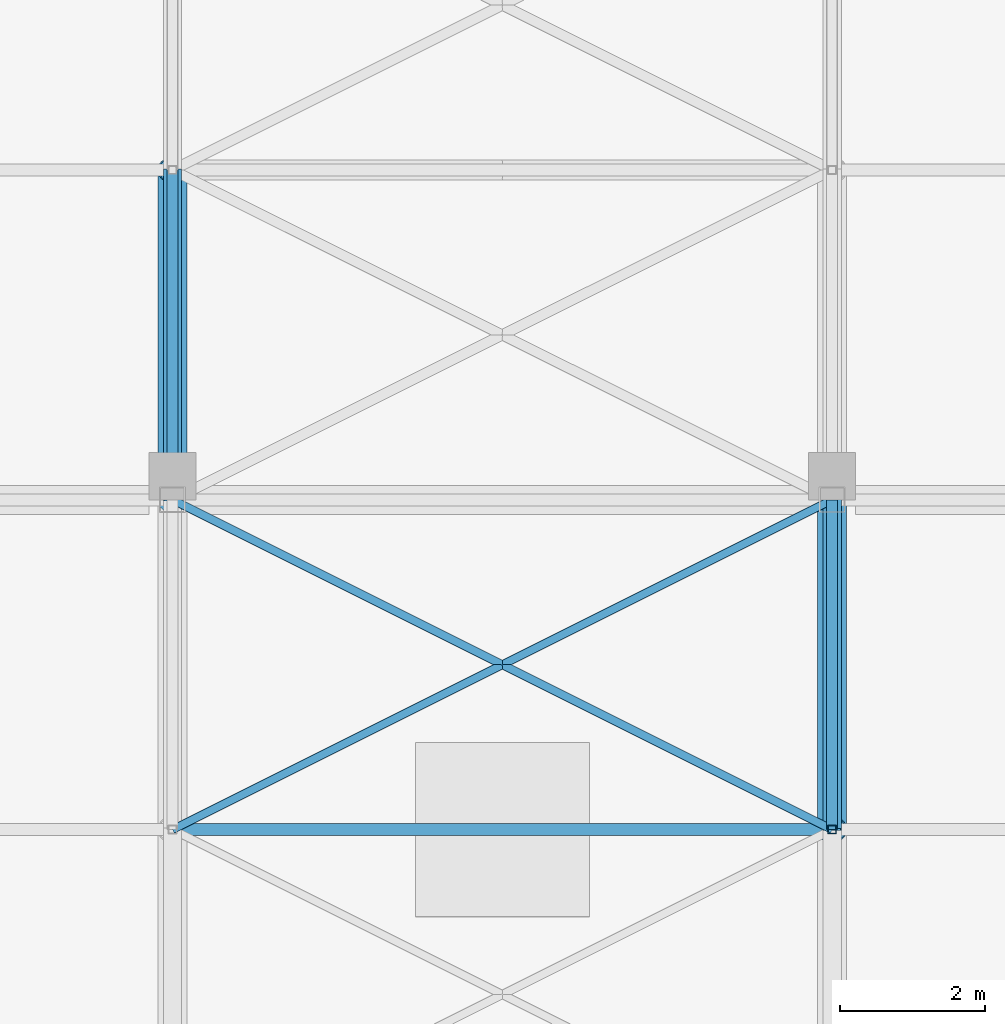
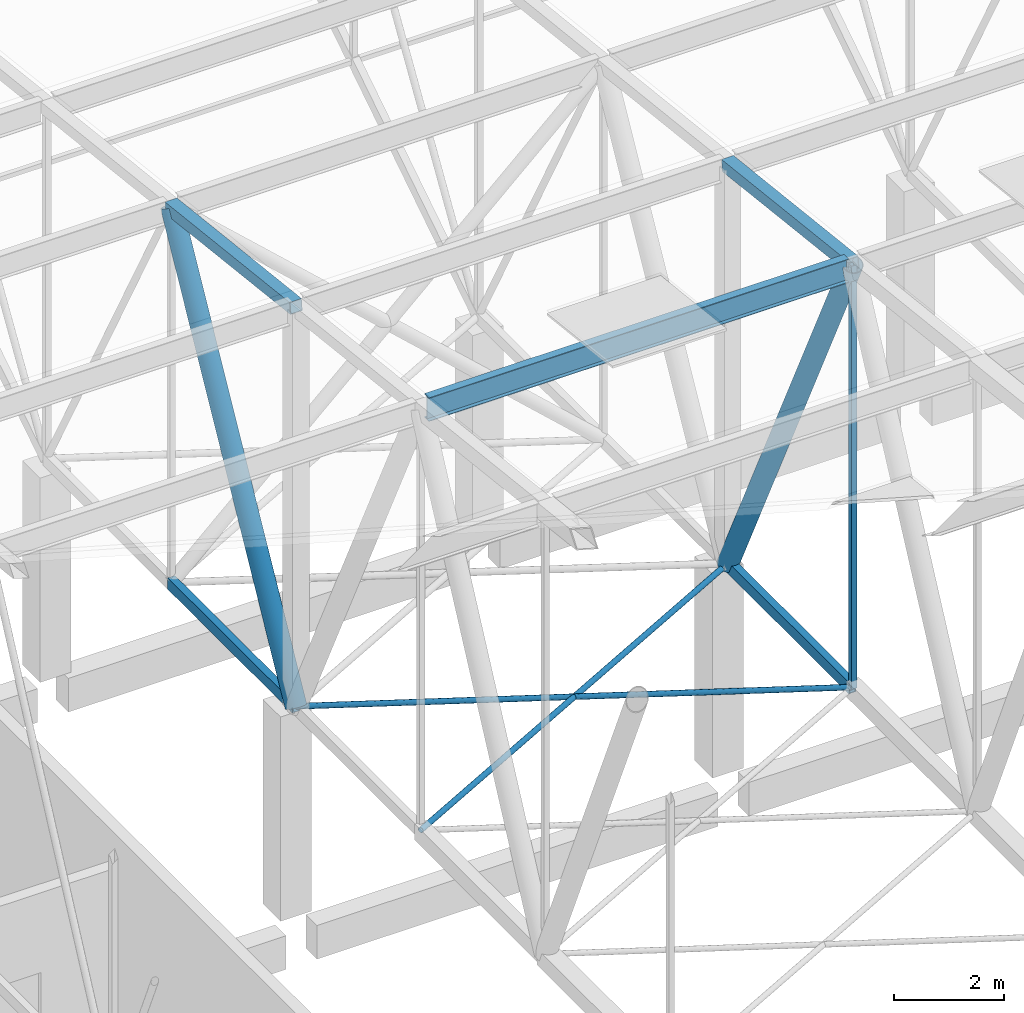
# One storey, part 243 of 500: 10 members.
"""IFC4 building model written with IfcOpenShell, lengths in metres."""

from ifc_helpers import new_model, si_unit, direction, frame, origin, origin_2d, place, context, subcontext, project, spatial, hollow_rectangle, hollow_circle, i_section, extrude, material, material_profile, profile_set, type_object, element, save


model = new_model("IFC4")

# Units and contexts
model_context = context("Model", 3, precision=1e-05, world=origin(), true_north=direction((0.0, 1.0)))
body_context = subcontext(model_context, "Body", "Model", "MODEL_VIEW")
ifc_project = project(units=[si_unit("LENGTHUNIT", "METRE"), si_unit("AREAUNIT", "SQUARE_METRE"), si_unit("VOLUMEUNIT", "CUBIC_METRE"), si_unit("PLANEANGLEUNIT", "RADIAN"), si_unit("MASSUNIT", "GRAM", prefix="KILO")], contexts=[model_context])

# Site, building, storey
site_placement = place(None, origin())
site = spatial("IfcSite", under=ifc_project, at=site_placement, CompositionType="ELEMENT")
building_placement = place(site_placement, origin())
building = spatial("IfcBuilding", under=site, at=building_placement, Name="Shirokan Park Arena", CompositionType="ELEMENT")
storey_placement = place(building_placement, frame((0.0, 0.0, 29.1201171875)))
storey = spatial("IfcBuildingStorey", under=building, at=storey_placement, Name="L06", CompositionType="ELEMENT", Elevation=29.1201171875)

# Members
ifc_material_1 = material(Name="Steel ASTM A500 Grade C", Category="steel")
ifc_material_profile_1 = material_profile(ifc_material_1, hollow_rectangle(XDim=0.152099609375, YDim=0.25390625, WallThickness=0.015869140625, at=origin_2d()), Name="HSS254X152.4X15.9")
ifc_profile_set_1 = profile_set([ifc_material_profile_1], Name="Steel ASTM A500 Grade C")
member_type_1 = type_object("IfcMemberType", Name="Bottom chord HSS254X152.4X15.9", PredefinedType="CHORD", material=ifc_profile_set_1)
member_1_placement = place(storey_placement, frame((54.60009765625, 95.550048828125, 4.677001953125), z_axis=(0.0, 1.0, 0.0), x_axis=(-1.0, 0.0, 0.0)))
element("IfcMember", 1, at=member_1_placement, inside=storey, type_object=member_type_1, Name="Truss T07 bottom chord 24", PredefinedType="CHORD", context=body_context, shape_type="SweptSolid", body=[
    extrude(hollow_rectangle(XDim=0.152099609375, YDim=0.25390625, WallThickness=0.015869140625, at=origin_2d()), origin(), (0.0, 0.0, 1.0), 4.550048828125),
])
ifc_material_profile_2 = material_profile(ifc_material_1, hollow_rectangle(XDim=0.152099609375, YDim=0.25390625, WallThickness=0.009521484375, at=origin_2d()), Name="HSS254X152.4X9.5")
ifc_profile_set_2 = profile_set([ifc_material_profile_2], Name="Steel ASTM A500 Grade C")
member_type_2 = type_object("IfcMemberType", Name="Bottom chord HSS254X152.4X9.5", PredefinedType="CHORD", material=ifc_profile_set_2)
member_2_placement = place(storey_placement, frame((45.5, 100.10009765625, 4.677001953125), z_axis=(0.0, 1.0, 0.0), x_axis=(-1.0, 0.0, 0.0)))
element("IfcMember", 2, at=member_2_placement, inside=storey, type_object=member_type_2, Name="Truss T06 bottom chord 25", PredefinedType="CHORD", context=body_context, shape_type="SweptSolid", body=[
    extrude(hollow_rectangle(XDim=0.152099609375, YDim=0.25390625, WallThickness=0.009521484375, at=origin_2d()), origin(), (0.0, 0.0, 1.0), 4.5498046875),
])
ifc_material_profile_3 = material_profile(ifc_material_1, hollow_circle(Radius=0.056884765625, WallThickness=0.006103515625, at=origin_2d()), Name="HSS114.3X6")
ifc_profile_set_3 = profile_set([ifc_material_profile_3], Name="Steel ASTM A500 Grade C")
member_type_3 = type_object("IfcMemberType", Name="Plan bracing HSS114.3X6", PredefinedType="BRACE", material=ifc_profile_set_3)
for number, where, z_axis, x_axis, name in (
    (3, (45.5, 95.550048828125, 4.677001953125), (0.894427191, 0.4472135955, 0.0), (-0.4472135955, 0.894427191, 0.0), "Plan bracing bay 6 panel 24 A"),
    (4, (54.60009765625, 95.550048828125, 4.677001953125), (-0.894427191, 0.4472135955, 0.0), (-0.4472135955, -0.894427191, 0.0), "Plan bracing bay 6 panel 24 B"),
):
    element("IfcMember", number, at=place(storey_placement, frame(where, z_axis=z_axis, x_axis=x_axis)), inside=storey, type_object=member_type_3, Name=name, PredefinedType="BRACE", context=body_context, shape_type="SweptSolid", body=[
        extrude(hollow_circle(Radius=0.056884765625, WallThickness=0.006103515625, at=origin_2d()), origin(), (0.0, 0.0, 1.0), 10.17431640625),
    ])
ifc_material_2 = material(Name="Steel ASTM A992", Category="steel")
ifc_material_profile_4 = material_profile(ifc_material_2, i_section(OverallWidth=0.166015625, OverallDepth=0.528076171875, WebThickness=0.009765625, FlangeThickness=0.013671875, at=origin_2d()), Name="W530X74")
ifc_profile_set_4 = profile_set([ifc_material_profile_4], Name="Steel ASTM A992")
member_type_4 = type_object("IfcMemberType", Name="Purlin W530X74", PredefinedType="PURLIN", material=ifc_profile_set_4)
member_3_placement = place(storey_placement, frame((45.626953125, 95.550048828125, 14.0458984375), z_axis=(1.0, 0.0, 0.0), x_axis=(0.0, 1.0, 0.0)))
element("IfcMember", 5, at=member_3_placement, inside=storey, type_object=member_type_4, Name="Purlin 24 bay 6", PredefinedType="PURLIN", context=body_context, shape_type="SweptSolid", body=[
    extrude(i_section(OverallWidth=0.166015625, OverallDepth=0.528076171875, WebThickness=0.009765625, FlangeThickness=0.013671875, at=origin_2d()), origin(), (0.0, 0.0, 1.0), 8.845947265625),
])
ifc_material_profile_5 = material_profile(ifc_material_1, hollow_rectangle(XDim=0.25390625, YDim=0.25390625, WallThickness=0.009521484375, at=origin_2d()), Name="HSS254X254X9.5")
ifc_profile_set_5 = profile_set([ifc_material_profile_5], Name="Steel ASTM A500 Grade C")
member_type_5 = type_object("IfcMemberType", Name="Top chord HSS254X254X9.5", PredefinedType="CHORD", material=ifc_profile_set_5)
member_4_placement = place(storey_placement, frame((45.5, 100.10009765625, 13.581298828125), z_axis=(0.0, 0.993531641592, -0.11355561261), x_axis=(-1.0, 0.0, 0.0)))
element("IfcMember", 6, at=member_4_placement, inside=storey, type_object=member_type_5, Name="Truss T06 top chord 25", PredefinedType="CHORD", context=body_context, shape_type="SweptSolid", body=[
    extrude(hollow_rectangle(XDim=0.25390625, YDim=0.25390625, WallThickness=0.009521484375, at=origin_2d()), origin(), (0.0, 0.0, 1.0), 4.579345703125),
])
member_5_placement = place(storey_placement, frame((54.60009765625, 95.550048828125, 14.101318359375), z_axis=(0.0, 0.993532328996, -0.113549598152), x_axis=(-1.0, 0.0, 0.0)))
element("IfcMember", 7, at=member_5_placement, inside=storey, type_object=member_type_5, Name="Truss T07 top chord 24", PredefinedType="CHORD", context=body_context, shape_type="SweptSolid", body=[
    extrude(hollow_rectangle(XDim=0.25390625, YDim=0.25390625, WallThickness=0.009521484375, at=origin_2d()), origin(), (0.0, 0.0, 1.0), 4.57958984375),
])
ifc_material_profile_6 = material_profile(ifc_material_1, hollow_circle(Radius=0.202880859375, WallThickness=0.015869140625, at=origin_2d()), Name="HSS406.4X15.9")
ifc_profile_set_6 = profile_set([ifc_material_profile_6], Name="Steel ASTM A500 Grade C")
member_type_6 = type_object("IfcMemberType", Name="Truss diagonal HSS406.4X15.9", PredefinedType="BRACE", material=ifc_profile_set_6)
member_6_placement = place(storey_placement, frame((45.5, 100.10009765625, 4.677001953125), z_axis=(0.0, 0.476957435823, 0.878926393058), x_axis=(-1.0, 0.0, 0.0)))
element("IfcMember", 8, at=member_6_placement, inside=storey, type_object=member_type_6, Name="Truss T06 diagonal 25", PredefinedType="BRACE", context=body_context, shape_type="SweptSolid", body=[
    extrude(hollow_circle(Radius=0.202880859375, WallThickness=0.015869140625, at=origin_2d()), origin(), (0.0, 0.0, 1.0), 9.539306640625),
])
member_7_placement = place(storey_placement, frame((54.60009765625, 95.550048828125, 14.101318359375), z_axis=(0.0, 0.434778423415, -0.900537463148), x_axis=(-1.0, 0.0, 0.0)))
element("IfcMember", 9, at=member_7_placement, inside=storey, type_object=member_type_6, Name="Truss T07 diagonal 24", PredefinedType="BRACE", context=body_context, shape_type="SweptSolid", body=[
    extrude(hollow_circle(Radius=0.202880859375, WallThickness=0.015869140625, at=origin_2d()), origin(), (0.0, 0.0, 1.0), 10.46533203125),
])
ifc_material_profile_7 = material_profile(ifc_material_1, hollow_rectangle(XDim=0.114013671875, YDim=0.114013671875, WallThickness=0.00634765625, at=origin_2d()), Name="HSS114.3X114.3X6.4")
ifc_profile_set_7 = profile_set([ifc_material_profile_7], Name="Steel ASTM A500 Grade C")
member_type_7 = type_object("IfcMemberType", Name="Truss post HSS114.3X114.3X6.4", PredefinedType="POST", material=ifc_profile_set_7)
member_8_placement = place(storey_placement, frame((54.60009765625, 95.550048828125, 4.677001953125), z_axis=(0.0, 0.0, 1.0), x_axis=(1.0, 0.0, 0.0)))
element("IfcMember", 10, at=member_8_placement, inside=storey, type_object=member_type_7, Name="Truss T07 post 24", PredefinedType="POST", context=body_context, shape_type="SweptSolid", body=[
    extrude(hollow_rectangle(XDim=0.114013671875, YDim=0.114013671875, WallThickness=0.00634765625, at=origin_2d()), origin(), (0.0, 0.0, 1.0), 9.42431640625),
])

save(model, "model.ifc")
